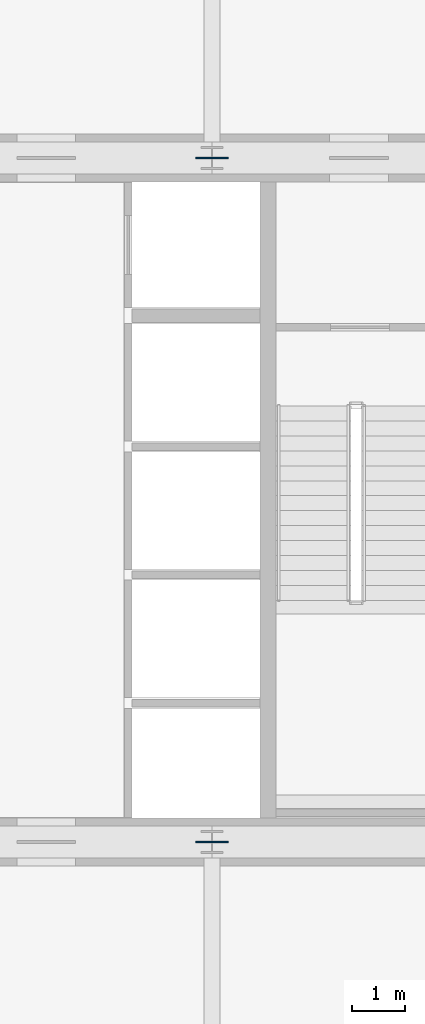
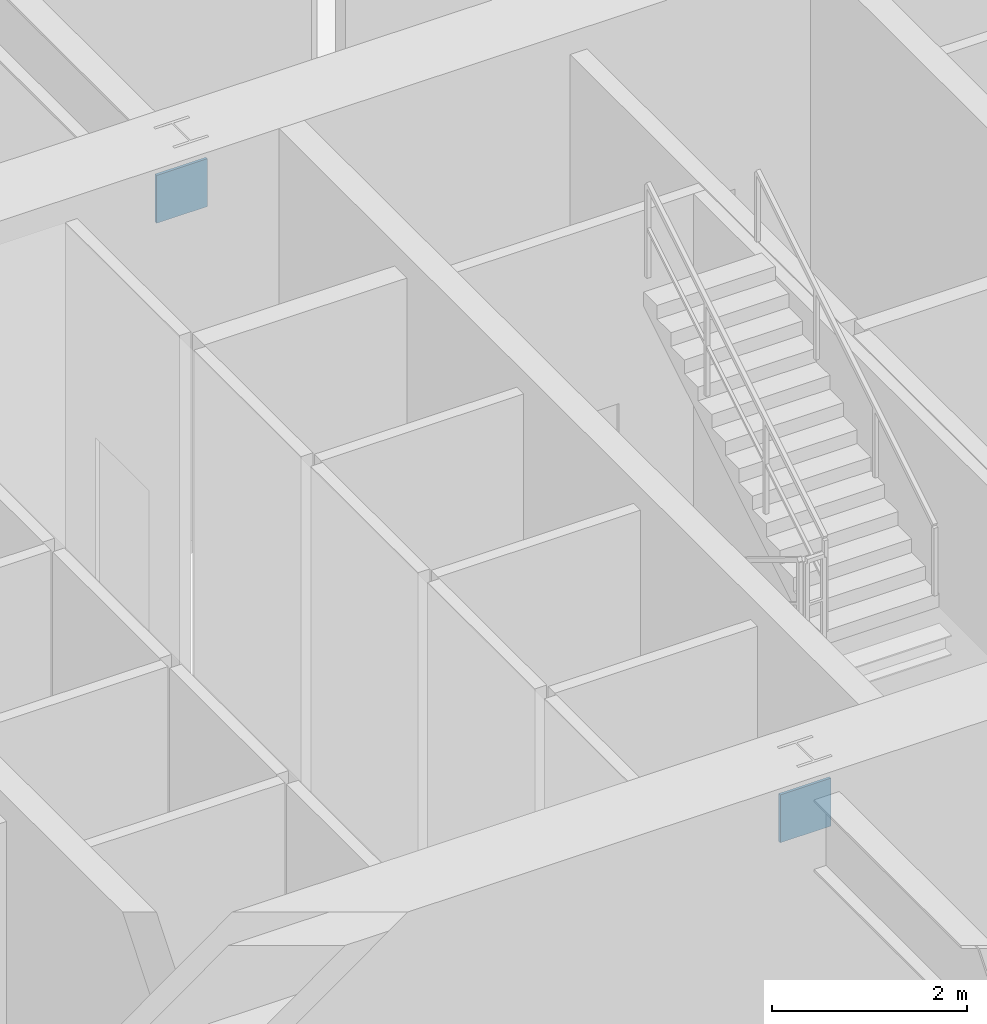
# One storey, part 37 of 39: 2 discrete accessories.
"""IFC4 building model written with IfcOpenShell, lengths in metres."""

from ifc_helpers import new_model, si_unit, direction, frame, origin, origin_2d, place, context, subcontext, project, spatial, rectangle, extrude, source, transform, mapped, material, layer, layer_set, type_object, element, save


model = new_model("IFC4")

# Units and contexts
model_context = context("Model", 3, precision=1e-05, world=origin(), true_north=direction((0.0, 1.0)))
body_context = subcontext(model_context, "Body", "Model", "MODEL_VIEW")
ifc_project = project(units=[si_unit("LENGTHUNIT", "METRE"), si_unit("AREAUNIT", "SQUARE_METRE"), si_unit("VOLUMEUNIT", "CUBIC_METRE"), si_unit("PLANEANGLEUNIT", "RADIAN"), si_unit("MASSUNIT", "GRAM", prefix="KILO"), si_unit("THERMODYNAMICTEMPERATUREUNIT", "KELVIN"), si_unit("POWERUNIT", "WATT")], contexts=[model_context])

# Site, building, storey
site_placement = place(None, origin())
site = spatial("IfcSite", under=ifc_project, at=site_placement, CompositionType="ELEMENT")
building_placement = place(site_placement, origin())
building = spatial("IfcBuilding", under=site, at=building_placement, Name="Yuzanri Waterfront Tower", CompositionType="ELEMENT")
storey_placement = place(building_placement, frame((0.0, 0.0, 15.0)))
storey = spatial("IfcBuildingStorey", under=building, at=storey_placement, Name="L04", CompositionType="ELEMENT", Elevation=15.0)

# Discrete accessories
ifc_material = material(Name="Steel Q355B", Category="steel")
ifc_layer = layer(ifc_material, 0.031982421875)
ifc_layer_set = layer_set([ifc_layer], Name="Steel Q355B")
discrete_accessory_type = type_object("IfcDiscreteAccessoryType", Name="Steel Q355B Core Wall Cast-In Embed Plate 600x600x32", PredefinedType="USERDEFINED", material=ifc_layer_set)
shared_shape = source(origin(), body_context, "Body", "SweptSolid", [
    extrude(rectangle(XDim=0.60009765625, YDim=0.031982421875, at=origin_2d()), origin(), (0.0, 0.0, 1.0), 0.60009765625),
])
for number, where, z_axis, x_axis, name in (
    (1, (37.0, 19.39990234375, 3.77001953125), (0.0, 0.0, 1.0), (1.0, 0.0, 0.0), "Core Wall Cast-In Embed Plate EP-01"),
    (2, (37.0, 32.199951171875, 3.77001953125), (0.0, 0.0, 1.0), (1.0, 0.0, 0.0), "Core Wall Cast-In Embed Plate EP-01"),
):
    element("IfcDiscreteAccessory", number, at=place(storey_placement, frame(where, z_axis=z_axis, x_axis=x_axis)), inside=storey, type_object=discrete_accessory_type, Name=name, ObjectType="CAST-IN EMBED PLATE", PredefinedType="USERDEFINED", context=body_context, shape_type="MappedRepresentation", body=[
        mapped(shared_shape, transform((0.0, 0.0, 0.0), scale=1.0)),
    ])

save(model, "model.ifc")
